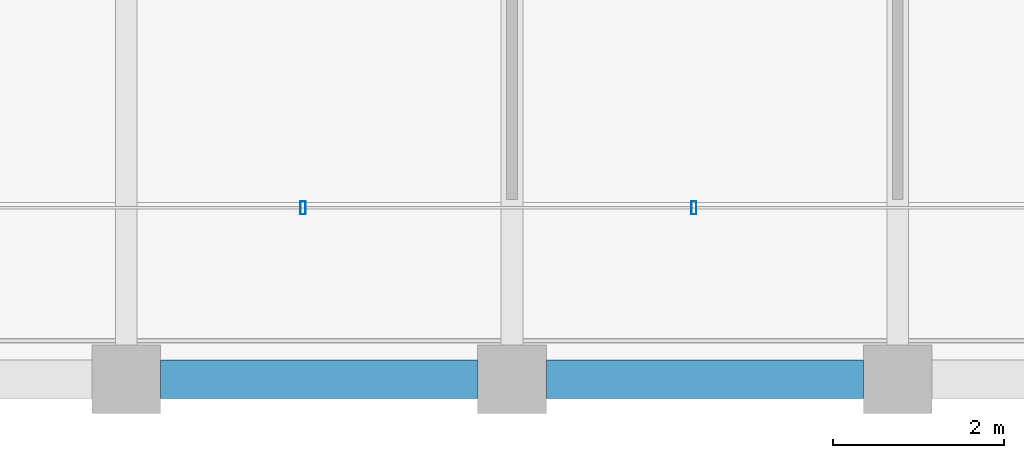
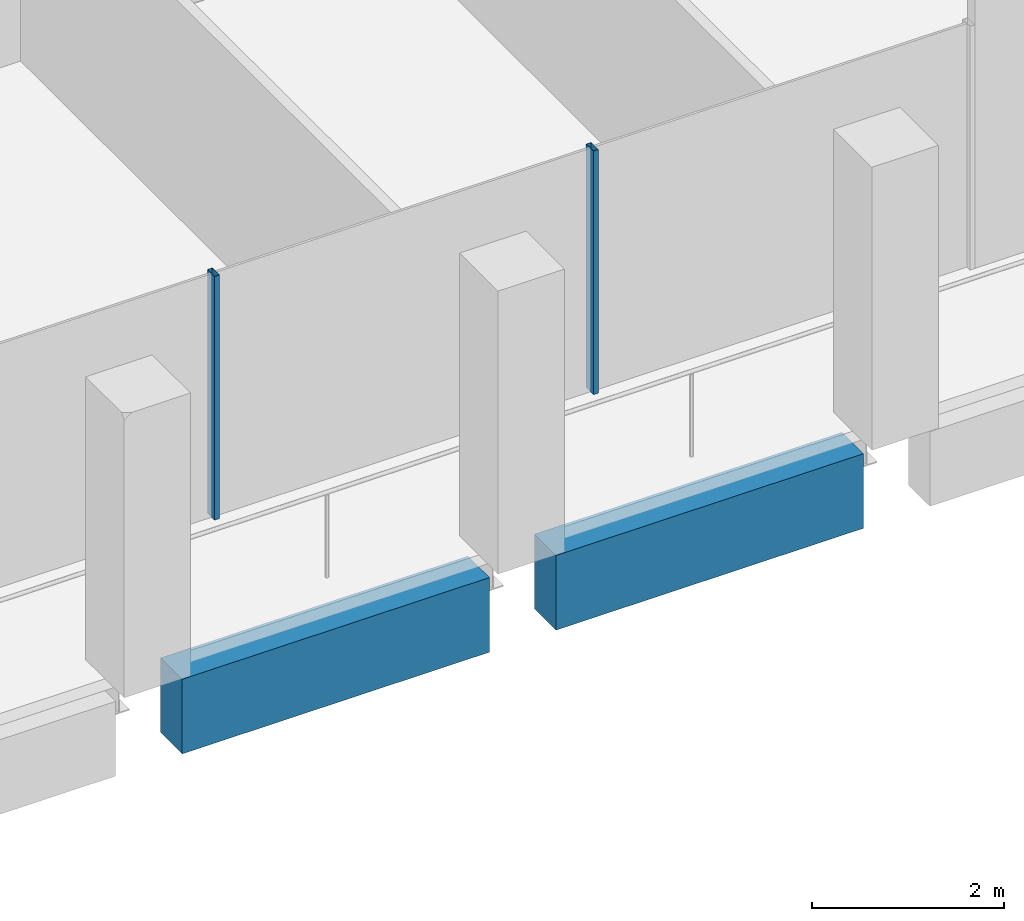
# One storey, part 3 of 30: 2 beams, 2 members, 1 element without a shape of its own.
"""IFC4 building model written with IfcOpenShell, lengths in metres."""

from ifc_helpers import new_model, si_unit, direction, frame, origin, origin_2d, place, context, subcontext, project, spatial, rectangle, hollow_rectangle, extrude, material, material_profile, profile_set, type_object, element, aggregate, save


model = new_model("IFC4")

# Units and contexts
model_context = context("Model", 3, precision=1e-05, world=origin(), true_north=direction((0.0, 1.0)))
body_context = subcontext(model_context, "Body", "Model", "MODEL_VIEW")
ifc_project = project(units=[si_unit("LENGTHUNIT", "METRE"), si_unit("AREAUNIT", "SQUARE_METRE"), si_unit("VOLUMEUNIT", "CUBIC_METRE"), si_unit("PLANEANGLEUNIT", "RADIAN"), si_unit("MASSUNIT", "GRAM", prefix="KILO")], contexts=[model_context])

# Site, building, storey
site_placement = place(None, origin())
site = spatial("IfcSite", under=ifc_project, at=site_placement, CompositionType="ELEMENT")
building_placement = place(site_placement, origin())
building = spatial("IfcBuilding", under=site, at=building_placement, Name="Altepetl Exchange Towers", CompositionType="ELEMENT")
storey_placement = place(building_placement, frame((0.0, 0.0, 228.0)))
storey = spatial("IfcBuildingStorey", under=building, at=storey_placement, Name="L58", CompositionType="ELEMENT", Elevation=228.0)

# Curtain wall, members
ifc_material_1 = material(Name="Aluminium 6063-T6 glazing", Category="aluminium")
curtain_wall_type = type_object("IfcCurtainWallType", Name="Loggia glazing system", PredefinedType="NOTDEFINED", material=ifc_material_1)
curtain_wall_placement = place(storey_placement, origin())
curtain_wall = element("IfcCurtainWall", 1, at=curtain_wall_placement, inside=storey, type_object=curtain_wall_type, Name="CW1 run", PredefinedType="NOTDEFINED")
ifc_material_2 = material(Name="Aluminium 6063-T6", Category="aluminium")
ifc_material_profile_1 = material_profile(ifc_material_2, hollow_rectangle(XDim=0.06005859375, YDim=0.14990234375, WallThickness=0.0029296875, at=origin_2d()), Name="Mullion 60x150 aluminium")
ifc_profile_set_1 = profile_set([ifc_material_profile_1], Name="Aluminium 6063-T6")
member_type = type_object("IfcMemberType", Name="Mullion 60x150 aluminium", PredefinedType="MULLION", material=ifc_profile_set_1)
member_1_placement = place(storey_placement, frame((38.060791015625, 29.0, 0.0)))
member_1 = element("IfcMember", 2, at=member_1_placement, type_object=member_type, Name="MU1 mullion", PredefinedType="MULLION", context=body_context, shape_type="SweptSolid", body=[
    extrude(hollow_rectangle(XDim=0.06005859375, YDim=0.14990234375, WallThickness=0.0029296875, at=origin_2d()), origin(), (0.0, 0.0, 1.0), 3.10009765625),
])
member_2_placement = place(storey_placement, frame((42.621337890625, 29.0, 0.0)))
member_2 = element("IfcMember", 3, at=member_2_placement, type_object=member_type, Name="MU1 mullion", PredefinedType="MULLION", context=body_context, shape_type="SweptSolid", body=[
    extrude(hollow_rectangle(XDim=0.06005859375, YDim=0.14990234375, WallThickness=0.0029296875, at=origin_2d()), origin(), (0.0, 0.0, 1.0), 3.10009765625),
])
aggregate(curtain_wall, [member_1, member_2])

# Beams
ifc_material_3 = material(Name="Concrete C50/60 precast with cantera blanca facing", Category="concrete")
ifc_material_profile_2 = material_profile(ifc_material_3, rectangle(XDim=0.449951171875, YDim=0.949951171875, at=origin_2d()), Name="450 x 950")
ifc_profile_set_2 = profile_set([ifc_material_profile_2], Name="Concrete C50/60 precast with cantera blanca facing")
beam_type = type_object("IfcBeamType", Name="Spandrel beam 450x950 cantera blanca", PredefinedType="SPANDREL", material=ifc_profile_set_2)
for number, where, z_axis, x_axis, name in (
    (4, (36.39990234375, 27.0, -0.625), (1.0, 0.0, 0.0), (0.0, 1.0, 0.0), "sp:A:L58:001"),
    (5, (40.89990234375, 27.0, -0.625), (1.0, 0.0, 0.0), (0.0, 1.0, 0.0), "sp:A:L58:002"),
):
    element("IfcBeam", number, at=place(storey_placement, frame(where, z_axis=z_axis, x_axis=x_axis)), inside=storey, type_object=beam_type, Name=name, PredefinedType="SPANDREL", context=body_context, shape_type="SweptSolid", body=[
        extrude(rectangle(XDim=0.449951171875, YDim=0.949951171875, at=origin_2d()), origin(), (0.0, 0.0, 1.0), 3.7001953125),
    ])

save(model, "model.ifc")
